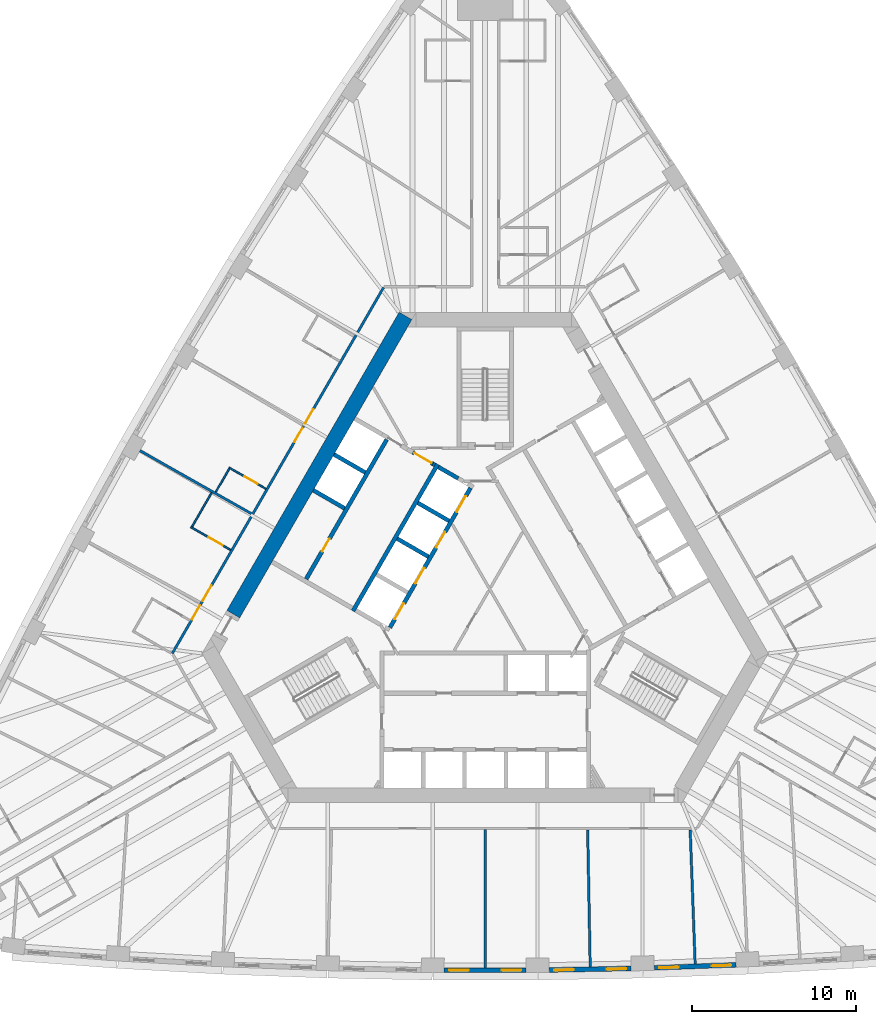
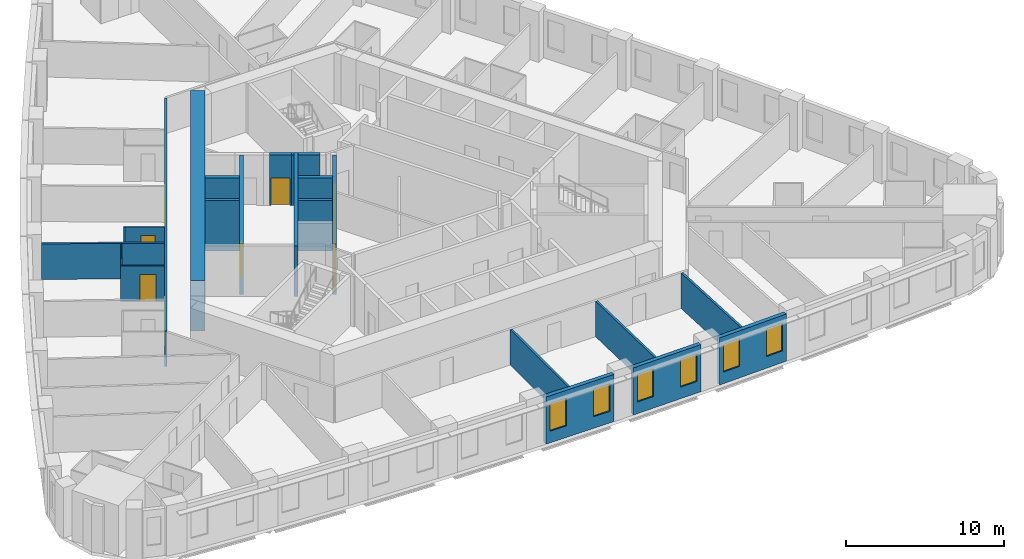
# One storey, part 5 of 12: 23 walls, 12 doors, 6 windows, 18 openings.
"""IFC4 building model written with IfcOpenShell, lengths in metres."""

from ifc_helpers import new_model, si_unit, direction, frame, frame_2d, origin, place, context, subcontext, project, spatial, polyline, rectangle, outline, extrude, material, layer, layer_set, type_object, element, fill, save


model = new_model("IFC4")

# Units and contexts
model_context = context("Model", 3, precision=1e-05, world=origin(), true_north=direction((0.0, 1.0)))
body_context = subcontext(model_context, "Body", "Model", "MODEL_VIEW")
ifc_project = project(units=[si_unit("LENGTHUNIT", "METRE"), si_unit("AREAUNIT", "SQUARE_METRE"), si_unit("VOLUMEUNIT", "CUBIC_METRE"), si_unit("PLANEANGLEUNIT", "RADIAN"), si_unit("MASSUNIT", "GRAM", prefix="KILO")], contexts=[model_context])

# Site, building, storey
site_placement = place(None, origin())
site = spatial("IfcSite", under=ifc_project, at=site_placement, CompositionType="ELEMENT")
building_placement = place(site_placement, origin())
building = spatial("IfcBuilding", under=site, at=building_placement, Name="Mestral Congress Tower", CompositionType="ELEMENT")
storey_placement = place(building_placement, frame((0.0, 0.0, 47.10009765625)))
storey = spatial("IfcBuildingStorey", under=building, at=storey_placement, Name="L10", CompositionType="ELEMENT", Elevation=47.10009765625)

# Wall
ifc_material_1 = material(Name="Concrete C60/75", Category="concrete")
ifc_layer_1 = layer(ifc_material_1, 0.89990234375)
ifc_layer_set_1 = layer_set([ifc_layer_1], Name="Concrete C60/75")
wall_type_1 = type_object("IfcWallType", Name="Core wall RC 900", PredefinedType="SOLIDWALL", material=ifc_layer_set_1)
wall_1_placement = place(storey_placement, frame((-15.359619140625, -1.50341796875, 0.0), z_axis=(0.0, 0.0, 1.0), x_axis=(0.50000389221, 0.866023156604, 0.0)))
element("IfcWall", 1, at=wall_1_placement, inside=storey, type_object=wall_type_1, Name="L10 core wall", PredefinedType="SOLIDWALL", context=body_context, shape_type="SweptSolid", body=[
    extrude(rectangle(XDim=21.000244140625, YDim=0.89990234375, at=frame_2d((10.5, 0.0))), origin(), (0.0, 0.0, 1.0), 3.89990234375),
])

# Wall, openings, windows
ifc_material_2 = material(Name="Precast concrete C40/50 with limestone facing", Category="masonry")
ifc_layer_2 = layer(ifc_material_2, 0.2900390625)
ifc_layer_set_2 = layer_set([ifc_layer_2], Name="Precast concrete C40/50 with limestone facing")
wall_type_2 = type_object("IfcWallType", Name="Facade stone wall 290", PredefinedType="SOLIDWALL", material=ifc_layer_set_2)
wall_2_placement = place(storey_placement, frame((-2.4990234375, -23.21826171875, 0.0), z_axis=(0.0, 0.0, 1.0), x_axis=(1.0, 0.0, 0.0)))
wall_2 = element("IfcWall", 2, at=wall_2_placement, inside=storey, type_object=wall_type_2, Name="Facade wall F0-04", PredefinedType="SOLIDWALL", context=body_context, shape_type="SweptSolid", body=[
    extrude(rectangle(XDim=4.998046875, YDim=0.2900390625, at=frame_2d((2.4990234375, 0.0))), origin(), (0.0, 0.0, 1.0), 3.64990234375),
])
opening_1_placement = place(wall_2_placement, frame((0.297119140625, 0.0, 0.89990234375)))
opening_1 = element("IfcOpeningElement", 3, at=opening_1_placement, cuts=wall_2, Name="Opening W1", PredefinedType="OPENING", context=body_context, shape_type="SweptSolid", body=[
    extrude(rectangle(XDim=1.199951171875, YDim=2.14990234375, at=frame_2d((0.60009765625, 1.074951171875))), frame((0.0, 0.155029296875, 0.0), z_axis=(0.0, -1.0, 0.0), x_axis=(1.0, 0.0, 0.0)), (0.0, 0.0, 1.0), 0.31005859375),
])
opening_2_placement = place(wall_2_placement, frame((3.501220703125, 0.0, 0.89990234375)))
opening_2 = element("IfcOpeningElement", 4, at=opening_2_placement, cuts=wall_2, Name="Opening W1", PredefinedType="OPENING", context=body_context, shape_type="SweptSolid", body=[
    extrude(rectangle(XDim=1.199951171875, YDim=2.14990234375, at=frame_2d((0.60009765625, 1.074951171875))), frame((0.0, 0.155029296875, 0.0), z_axis=(0.0, -1.0, 0.0), x_axis=(1.0, 0.0, 0.0)), (0.0, 0.0, 1.0), 0.31005859375),
])
ifc_material_3 = material(Name="Clear low-emissivity double glazing", Category="glass")
window_type = type_object("IfcWindowType", Name="Facade punched window 1200 x 2150 sill 900", PartitioningType="DOUBLE_PANEL_VERTICAL", PredefinedType="WINDOW", material=ifc_material_3)
window_1_placement = place(opening_1_placement, origin())
window_1 = element("IfcWindow", 5, at=window_1_placement, inside=storey, type_object=window_type, Name="Window F0-04a", OverallHeight=2.14990234375, OverallWidth=1.199951171875, PartitioningType="DOUBLE_PANEL_VERTICAL", PredefinedType="WINDOW", context=body_context, shape_type="SweptSolid", body=[
    extrude(rectangle(XDim=1.199951171875, YDim=2.14990234375, at=frame_2d((0.60009765625, 1.074951171875))), frame((0.0, 0.01513671875, 0.0), z_axis=(0.0, -1.0, 0.0), x_axis=(1.0, 0.0, 0.0)), (0.0, 0.0, 1.0), 0.06005859375),
])
fill(opening_1, window_1)
window_2_placement = place(opening_2_placement, origin())
window_2 = element("IfcWindow", 6, at=window_2_placement, inside=storey, type_object=window_type, Name="Window F0-04b", OverallHeight=2.14990234375, OverallWidth=1.199951171875, PartitioningType="DOUBLE_PANEL_VERTICAL", PredefinedType="WINDOW", context=body_context, shape_type="SweptSolid", body=[
    extrude(rectangle(XDim=1.199951171875, YDim=2.14990234375, at=frame_2d((0.60009765625, 1.074951171875))), frame((0.0, 0.01513671875, 0.0), z_axis=(0.0, -1.0, 0.0), x_axis=(1.0, 0.0, 0.0)), (0.0, 0.0, 1.0), 0.06005859375),
])
fill(opening_2, window_2)

wall_3_placement = place(storey_placement, frame((3.90625, -23.205078125, 0.0), z_axis=(0.0, 0.0, 1.0), x_axis=(0.999829529479, 0.018463801951, 0.0)))
wall_3 = element("IfcWall", 7, at=wall_3_placement, inside=storey, type_object=wall_type_2, Name="Facade wall F0-05", PredefinedType="SOLIDWALL", context=body_context, shape_type="SweptSolid", body=[
    extrude(rectangle(XDim=4.998046875, YDim=0.2900390625, at=frame_2d((2.4990234375, 0.0))), origin(), (0.0, 0.0, 1.0), 3.64990234375),
])
opening_3_placement = place(wall_3_placement, frame((0.297119140625, 0.0, 0.89990234375)))
opening_3 = element("IfcOpeningElement", 8, at=opening_3_placement, cuts=wall_3, Name="Opening W1", PredefinedType="OPENING", context=body_context, shape_type="SweptSolid", body=[
    extrude(rectangle(XDim=1.199951171875, YDim=2.14990234375, at=frame_2d((0.60009765625, 1.074951171875))), frame((0.0, 0.155029296875, 0.0), z_axis=(0.0, -1.0, 0.0), x_axis=(1.0, 0.0, 0.0)), (0.0, 0.0, 1.0), 0.31005859375),
])
opening_4_placement = place(wall_3_placement, frame((3.501220703125, 0.0, 0.89990234375)))
opening_4 = element("IfcOpeningElement", 9, at=opening_4_placement, cuts=wall_3, Name="Opening W1", PredefinedType="OPENING", context=body_context, shape_type="SweptSolid", body=[
    extrude(rectangle(XDim=1.199951171875, YDim=2.14990234375, at=frame_2d((0.60009765625, 1.074951171875))), frame((0.0, 0.155029296875, 0.0), z_axis=(0.0, -1.0, 0.0), x_axis=(1.0, 0.0, 0.0)), (0.0, 0.0, 1.0), 0.31005859375),
])
window_3_placement = place(opening_3_placement, origin())
window_3 = element("IfcWindow", 10, at=window_3_placement, inside=storey, type_object=window_type, Name="Window F0-05a", OverallHeight=2.14990234375, OverallWidth=1.199951171875, PartitioningType="DOUBLE_PANEL_VERTICAL", PredefinedType="WINDOW", context=body_context, shape_type="SweptSolid", body=[
    extrude(rectangle(XDim=1.199951171875, YDim=2.14990234375, at=frame_2d((0.60009765625, 1.074951171875))), frame((0.0, 0.01513671875, 0.0), z_axis=(0.0, -1.0, 0.0), x_axis=(1.0, 0.0, 0.0)), (0.0, 0.0, 1.0), 0.06005859375),
])
fill(opening_3, window_3)
window_4_placement = place(opening_4_placement, origin())
window_4 = element("IfcWindow", 11, at=window_4_placement, inside=storey, type_object=window_type, Name="Window F0-05b", OverallHeight=2.14990234375, OverallWidth=1.199951171875, PartitioningType="DOUBLE_PANEL_VERTICAL", PredefinedType="WINDOW", context=body_context, shape_type="SweptSolid", body=[
    extrude(rectangle(XDim=1.199951171875, YDim=2.14990234375, at=frame_2d((0.60009765625, 1.074951171875))), frame((0.0, 0.01513671875, 0.0), z_axis=(0.0, -1.0, 0.0), x_axis=(1.0, 0.0, 0.0)), (0.0, 0.0, 1.0), 0.06005859375),
])
fill(opening_4, window_4)

wall_4_placement = place(storey_placement, frame((10.310302734375, -23.07373046875, 0.0), z_axis=(0.0, 0.0, 1.0), x_axis=(0.999317974969, 0.036926750529, 0.0)))
wall_4 = element("IfcWall", 12, at=wall_4_placement, inside=storey, type_object=wall_type_2, Name="Facade wall F0-06", PredefinedType="SOLIDWALL", context=body_context, shape_type="SweptSolid", body=[
    extrude(rectangle(XDim=4.998291015625, YDim=0.2900390625, at=frame_2d((2.4990234375, 0.0))), origin(), (0.0, 0.0, 1.0), 3.64990234375),
])
opening_5_placement = place(wall_4_placement, frame((0.297119140625, 0.0, 0.89990234375)))
opening_5 = element("IfcOpeningElement", 13, at=opening_5_placement, cuts=wall_4, Name="Opening W1", PredefinedType="OPENING", context=body_context, shape_type="SweptSolid", body=[
    extrude(rectangle(XDim=1.199951171875, YDim=2.14990234375, at=frame_2d((0.60009765625, 1.074951171875))), frame((0.0, 0.155029296875, 0.0), z_axis=(0.0, -1.0, 0.0), x_axis=(1.0, 0.0, 0.0)), (0.0, 0.0, 1.0), 0.31005859375),
])
opening_6_placement = place(wall_4_placement, frame((3.501220703125, 0.0, 0.89990234375)))
opening_6 = element("IfcOpeningElement", 14, at=opening_6_placement, cuts=wall_4, Name="Opening W1", PredefinedType="OPENING", context=body_context, shape_type="SweptSolid", body=[
    extrude(rectangle(XDim=1.199951171875, YDim=2.14990234375, at=frame_2d((0.60009765625, 1.074951171875))), frame((0.0, 0.155029296875, 0.0), z_axis=(0.0, -1.0, 0.0), x_axis=(1.0, 0.0, 0.0)), (0.0, 0.0, 1.0), 0.31005859375),
])
window_5_placement = place(opening_5_placement, origin())
window_5 = element("IfcWindow", 15, at=window_5_placement, inside=storey, type_object=window_type, Name="Window F0-06a", OverallHeight=2.14990234375, OverallWidth=1.199951171875, PartitioningType="DOUBLE_PANEL_VERTICAL", PredefinedType="WINDOW", context=body_context, shape_type="SweptSolid", body=[
    extrude(rectangle(XDim=1.199951171875, YDim=2.14990234375, at=frame_2d((0.60009765625, 1.074951171875))), frame((0.0, 0.01513671875, 0.0), z_axis=(0.0, -1.0, 0.0), x_axis=(1.0, 0.0, 0.0)), (0.0, 0.0, 1.0), 0.06005859375),
])
fill(opening_5, window_5)
window_6_placement = place(opening_6_placement, origin())
window_6 = element("IfcWindow", 16, at=window_6_placement, inside=storey, type_object=window_type, Name="Window F0-06b", OverallHeight=2.14990234375, OverallWidth=1.199951171875, PartitioningType="DOUBLE_PANEL_VERTICAL", PredefinedType="WINDOW", context=body_context, shape_type="SweptSolid", body=[
    extrude(rectangle(XDim=1.199951171875, YDim=2.14990234375, at=frame_2d((0.60009765625, 1.074951171875))), frame((0.0, 0.01513671875, 0.0), z_axis=(0.0, -1.0, 0.0), x_axis=(1.0, 0.0, 0.0)), (0.0, 0.0, 1.0), 0.06005859375),
])
fill(opening_6, window_6)

# Wall, opening, door
ifc_material_4 = material(Name="Gypsum board partition on metal studs with mineral wool", Category="composite")
ifc_layer_3 = layer(ifc_material_4, 0.10009765625)
ifc_layer_set_3 = layer_set([ifc_layer_3], Name="Gypsum board partition on metal studs with mineral wool")
wall_type_3 = type_object("IfcWallType", Name="Hotel partition wall 100", PredefinedType="PARTITIONING", material=ifc_layer_set_3)
wall_5_placement = place(storey_placement, frame((-13.37255859375, 6.13818359375, 0.0), z_axis=(0.0, 0.0, 1.0), x_axis=(-0.866062058628, 0.499936506574, 0.0)))
wall_5 = element("IfcWall", 17, at=wall_5_placement, inside=storey, type_object=wall_type_3, Name="L10-h-pod22a", PredefinedType="PARTITIONING", context=body_context, shape_type="SweptSolid", body=[
    extrude(rectangle(XDim=2.599853515625, YDim=0.10009765625, at=frame_2d((1.2998046875, 0.0))), origin(), (0.0, 0.0, 1.0), 2.75),
])
opening_7_placement = place(wall_5_placement, frame((0.60009765625, 0.0, 0.0)))
opening_7 = element("IfcOpeningElement", 18, at=opening_7_placement, cuts=wall_5, Name="Opening H02-036", PredefinedType="OPENING", context=body_context, shape_type="SweptSolid", body=[
    extrude(rectangle(XDim=0.89990234375, YDim=2.10009765625, at=frame_2d((0.449951171875, 1.050048828125))), frame((0.0, 0.06005859375, 0.0), z_axis=(0.0, -1.0, 0.0), x_axis=(1.0, 0.0, 0.0)), (0.0, 0.0, 1.0), 0.1201171875),
])
ifc_material_5 = material(Name="Timber veneer door leaf in timber frame", Category="wood")
door_type_1 = type_object("IfcDoorType", Name="Bathroom door 900", OperationType="SINGLE_SWING_LEFT", PredefinedType="DOOR", material=ifc_material_5)
door_1_placement = place(opening_7_placement, origin())
door_1 = element("IfcDoor", 19, at=door_1_placement, inside=storey, type_object=door_type_1, Name="L10-h-d036", OperationType="SINGLE_SWING_LEFT", OverallHeight=2.10009765625, OverallWidth=0.89990234375, PredefinedType="DOOR", context=body_context, shape_type="SweptSolid", body=[
    extrude(rectangle(XDim=0.89990234375, YDim=2.10009765625, at=frame_2d((0.449951171875, 1.050048828125))), frame((0.0, 0.02490234375, 0.0), z_axis=(0.0, -1.0, 0.0), x_axis=(1.0, 0.0, 0.0)), (0.0, 0.0, 1.0), 0.050048828125),
])
fill(opening_7, door_1)

# Wall
wall_6_placement = place(storey_placement, frame((-15.60595703125, 7.369873046875, 0.0), z_axis=(0.0, 0.0, 1.0), x_axis=(-0.499974350878, -0.866040211805, 0.0)))
element("IfcWall", 20, at=wall_6_placement, inside=storey, type_object=wall_type_3, Name="L10-h-pod22b", PredefinedType="PARTITIONING", context=body_context, shape_type="SweptSolid", body=[
    extrude(rectangle(XDim=1.64990234375, YDim=0.10009765625, at=frame_2d((0.824951171875, 0.0))), origin(), (0.0, 0.0, 1.0), 2.75),
])

# Wall, opening, door
wall_7_placement = place(storey_placement, frame((-17.950927734375, 3.80810546875, 0.0), z_axis=(0.0, 0.0, 1.0), x_axis=(0.866034573852, -0.49998411664, 0.0)))
wall_7 = element("IfcWall", 21, at=wall_7_placement, inside=storey, type_object=wall_type_3, Name="L10-h-pod23a", PredefinedType="PARTITIONING", context=body_context, shape_type="SweptSolid", body=[
    extrude(rectangle(XDim=2.7998046875, YDim=0.10009765625, at=frame_2d((1.39990234375, 0.0))), origin(), (0.0, 0.0, 1.0), 2.75),
])
opening_8_placement = place(wall_7_placement, frame((1.25, 0.0, 0.0)))
opening_8 = element("IfcOpeningElement", 22, at=opening_8_placement, cuts=wall_7, Name="Opening H02-038", PredefinedType="OPENING", context=body_context, shape_type="SweptSolid", body=[
    extrude(rectangle(XDim=1.0, YDim=2.10009765625, at=frame_2d((0.5, 1.050048828125))), frame((0.0, 0.06005859375, 0.0), z_axis=(0.0, -1.0, 0.0), x_axis=(1.0, 0.0, 0.0)), (0.0, 0.0, 1.0), 0.1201171875),
])
door_type_2 = type_object("IfcDoorType", Name="Accessible bathroom door 1000", OperationType="SINGLE_SWING_LEFT", PredefinedType="DOOR", material=ifc_material_5)
door_2_placement = place(opening_8_placement, origin())
door_2 = element("IfcDoor", 23, at=door_2_placement, inside=storey, type_object=door_type_2, Name="L10-h-d038", OperationType="SINGLE_SWING_LEFT", OverallHeight=2.10009765625, OverallWidth=1.0, PredefinedType="DOOR", context=body_context, shape_type="SweptSolid", body=[
    extrude(rectangle(XDim=1.0, YDim=2.10009765625, at=frame_2d((0.5, 1.050048828125))), frame((0.0, 0.02490234375, 0.0), z_axis=(0.0, -1.0, 0.0), x_axis=(1.0, 0.0, 0.0)), (0.0, 0.0, 1.0), 0.050048828125),
])
fill(opening_8, door_2)

# Wall
wall_8_placement = place(storey_placement, frame((-17.877685546875, 3.835205078125, 0.0), z_axis=(0.0, 0.0, 1.0), x_axis=(0.500061428766, 0.865989934965, 0.0)))
element("IfcWall", 24, at=wall_8_placement, inside=storey, type_object=wall_type_3, Name="L10-h-pod23b", PredefinedType="PARTITIONING", context=body_context, shape_type="SweptSolid", body=[
    extrude(rectangle(XDim=2.389892578125, YDim=0.10009765625, at=frame_2d((1.19482421875, 0.0))), origin(), (0.0, 0.0, 1.0), 2.75),
])

# Wall, openings, doors
ifc_layer_4 = layer(ifc_material_4, 0.14990234375)
ifc_layer_set_4 = layer_set([ifc_layer_4], Name="Gypsum board partition on metal studs with mineral wool")
wall_type_4 = type_object("IfcWallType", Name="Hotel partition wall 150", PredefinedType="PARTITIONING", material=ifc_layer_set_4)
wall_9_placement = place(storey_placement, frame((-19.081298828125, -3.89990234375, 0.0), z_axis=(0.0, 0.0, 1.0), x_axis=(0.499998313975, 0.866026377209, 0.0)))
wall_9 = element("IfcWall", 25, at=wall_9_placement, inside=storey, type_object=wall_type_4, Name="L10-h-cw08", PredefinedType="PARTITIONING", context=body_context, shape_type="SweptSolid", body=[
    extrude(rectangle(XDim=25.76611328125, YDim=0.14990234375, at=frame_2d((12.883056640625, 0.0))), origin(), (0.0, 0.0, 1.0), 2.75),
])
opening_9_placement = place(wall_9_placement, frame((16.19580078125, 0.0, 0.0)))
opening_9 = element("IfcOpeningElement", 26, at=opening_9_placement, cuts=wall_9, Name="Opening H02-033", PredefinedType="OPENING", context=body_context, shape_type="SweptSolid", body=[
    extrude(rectangle(XDim=1.0, YDim=2.10009765625, at=frame_2d((0.5, 1.050048828125))), frame((0.0, 0.0849609375, 0.0), z_axis=(0.0, -1.0, 0.0), x_axis=(1.0, 0.0, 0.0)), (0.0, 0.0, 1.0), 0.169921875),
])
opening_10_placement = place(wall_9_placement, frame((14.888671875, 0.0, 0.0)))
opening_10 = element("IfcOpeningElement", 27, at=opening_10_placement, cuts=wall_9, Name="Opening H02-035", PredefinedType="OPENING", context=body_context, shape_type="SweptSolid", body=[
    extrude(rectangle(XDim=1.0, YDim=2.10009765625, at=frame_2d((0.5, 1.050048828125))), frame((0.0, 0.0849609375, 0.0), z_axis=(0.0, -1.0, 0.0), x_axis=(1.0, 0.0, 0.0)), (0.0, 0.0, 1.0), 0.169921875),
])
opening_11_placement = place(wall_9_placement, frame((3.6982421875, 0.0, 0.0)))
opening_11 = element("IfcOpeningElement", 28, at=opening_11_placement, cuts=wall_9, Name="Opening H02-037", PredefinedType="OPENING", context=body_context, shape_type="SweptSolid", body=[
    extrude(rectangle(XDim=1.10009765625, YDim=2.10009765625, at=frame_2d((0.550048828125, 1.050048828125))), frame((0.0, 0.0849609375, 0.0), z_axis=(0.0, -1.0, 0.0), x_axis=(1.0, 0.0, 0.0)), (0.0, 0.0, 1.0), 0.169921875),
])
opening_12_placement = place(wall_9_placement, frame((2.3916015625, 0.0, 0.0)))
opening_12 = element("IfcOpeningElement", 29, at=opening_12_placement, cuts=wall_9, Name="Opening H02-039", PredefinedType="OPENING", context=body_context, shape_type="SweptSolid", body=[
    extrude(rectangle(XDim=1.0, YDim=2.10009765625, at=frame_2d((0.5, 1.050048828125))), frame((0.0, 0.0849609375, 0.0), z_axis=(0.0, -1.0, 0.0), x_axis=(1.0, 0.0, 0.0)), (0.0, 0.0, 1.0), 0.169921875),
])
ifc_material_6 = material(Name="Timber veneer door leaf in metal frame", Category="wood")
door_type_3 = type_object("IfcDoorType", Name="Accessible room entrance door 1100", OperationType="SINGLE_SWING_LEFT", PredefinedType="DOOR", material=ifc_material_6)
door_3_placement = place(opening_11_placement, origin())
door_3 = element("IfcDoor", 30, at=door_3_placement, inside=storey, type_object=door_type_3, Name="L10-h-d037", OperationType="SINGLE_SWING_LEFT", OverallHeight=2.10009765625, OverallWidth=1.10009765625, PredefinedType="DOOR", context=body_context, shape_type="SweptSolid", body=[
    extrude(rectangle(XDim=1.10009765625, YDim=2.10009765625, at=frame_2d((0.550048828125, 1.050048828125))), frame((0.0, 0.02490234375, 0.0), z_axis=(0.0, -1.0, 0.0), x_axis=(1.0, 0.0, 0.0)), (0.0, 0.0, 1.0), 0.050048828125),
])
fill(opening_11, door_3)
door_type_4 = type_object("IfcDoorType", Name="Guest room entrance door 1000", OperationType="SINGLE_SWING_LEFT", PredefinedType="DOOR", material=ifc_material_6)
door_4_placement = place(opening_9_placement, origin())
door_4 = element("IfcDoor", 31, at=door_4_placement, inside=storey, type_object=door_type_4, Name="L10-h-d033", OperationType="SINGLE_SWING_LEFT", OverallHeight=2.10009765625, OverallWidth=1.0, PredefinedType="DOOR", context=body_context, shape_type="SweptSolid", body=[
    extrude(rectangle(XDim=1.0, YDim=2.10009765625, at=frame_2d((0.5, 1.050048828125))), frame((0.0, 0.02490234375, 0.0), z_axis=(0.0, -1.0, 0.0), x_axis=(1.0, 0.0, 0.0)), (0.0, 0.0, 1.0), 0.050048828125),
])
fill(opening_9, door_4)
door_5_placement = place(opening_10_placement, origin())
door_5 = element("IfcDoor", 32, at=door_5_placement, inside=storey, type_object=door_type_4, Name="L10-h-d035", OperationType="SINGLE_SWING_RIGHT", OverallHeight=2.10009765625, OverallWidth=1.0, PredefinedType="DOOR", context=body_context, shape_type="SweptSolid", body=[
    extrude(rectangle(XDim=1.0, YDim=2.10009765625, at=frame_2d((0.5, 1.050048828125))), frame((0.0, 0.02490234375, 0.0), z_axis=(0.0, -1.0, 0.0), x_axis=(1.0, 0.0, 0.0)), (0.0, 0.0, 1.0), 0.050048828125),
])
fill(opening_10, door_5)
door_6_placement = place(opening_12_placement, origin())
door_6 = element("IfcDoor", 33, at=door_6_placement, inside=storey, type_object=door_type_4, Name="L10-h-d039", OperationType="SINGLE_SWING_RIGHT", OverallHeight=2.10009765625, OverallWidth=1.0, PredefinedType="DOOR", context=body_context, shape_type="SweptSolid", body=[
    extrude(rectangle(XDim=1.0, YDim=2.10009765625, at=frame_2d((0.5, 1.050048828125))), frame((0.0, 0.02490234375, 0.0), z_axis=(0.0, -1.0, 0.0), x_axis=(1.0, 0.0, 0.0)), (0.0, 0.0, 1.0), 0.050048828125),
])
fill(opening_12, door_6)

# Walls
wall_10_placement = place(storey_placement, frame((-21.051513671875, 8.464111328125, 0.0), z_axis=(0.0, 0.0, 1.0), x_axis=(0.87059371954, -0.492002617368, 0.0)))
element("IfcWall", 34, at=wall_10_placement, inside=storey, type_object=wall_type_4, Name="L10-h-pw08", PredefinedType="PARTITIONING", context=body_context, shape_type="SweptSolid", body=[
    extrude(rectangle(XDim=7.803466796875, YDim=0.14990234375, at=frame_2d((3.90185546875, 0.0))), origin(), (0.0, 0.0, 1.0), 2.75),
])
wall_11_placement = place(storey_placement, frame((0.0, -23.0732421875, 0.0), z_axis=(0.0, 0.0, 1.0), x_axis=(0.0, 1.0, 0.0)))
element("IfcWall", 35, at=wall_11_placement, inside=storey, type_object=wall_type_4, Name="L10-h-pw14", PredefinedType="PARTITIONING", context=body_context, shape_type="SweptSolid", body=[
    extrude(rectangle(XDim=8.42333984375, YDim=0.14990234375, at=frame_2d((4.211669921875, 0.0))), origin(), (0.0, 0.0, 1.0), 2.75),
])
wall_12_placement = place(storey_placement, frame((6.40234375, -23.013916015625, 0.0), z_axis=(0.0, 0.0, 1.0), x_axis=(-0.01849587109, 0.999828936745, 0.0)))
element("IfcWall", 36, at=wall_12_placement, inside=storey, type_object=wall_type_4, Name="L10-h-pw17", PredefinedType="PARTITIONING", context=body_context, shape_type="SweptSolid", body=[
    extrude(rectangle(XDim=8.35546875, YDim=0.14990234375, at=frame_2d((4.177734375, 0.0))), origin(), (0.0, 0.0, 1.0), 2.75),
])
wall_13_placement = place(storey_placement, frame((12.802490234375, -22.83642578125, 0.0), z_axis=(0.0, 0.0, 1.0), x_axis=(-0.036969723281, 0.999316386116, 0.0)))
element("IfcWall", 37, at=wall_13_placement, inside=storey, type_object=wall_type_4, Name="L10-h-pw20", PredefinedType="PARTITIONING", context=body_context, shape_type="SweptSolid", body=[
    extrude(rectangle(XDim=8.18212890625, YDim=0.14990234375, at=frame_2d((4.091064453125, 0.0))), origin(), (0.0, 0.0, 1.0), 2.75),
])
ifc_layer_5 = layer(ifc_material_1, 0.25)
ifc_layer_set_5 = layer_set([ifc_layer_5], Name="Concrete C60/75")
wall_type_5 = type_object("IfcWallType", Name="Shaft wall RC 250", PredefinedType="SOLIDWALL", material=ifc_layer_set_5)
wall_14_placement = place(storey_placement, frame((-8.06005859375, -1.310546875, 0.0), z_axis=(0.0, 0.0, 1.0), x_axis=(0.50000273126, 0.866023826885, 0.0)))
element("IfcWall", 38, at=wall_14_placement, inside=storey, type_object=wall_type_5, Name="L10 core wall", PredefinedType="SOLIDWALL", context=body_context, shape_type="SweptSolid", body=[
    extrude(rectangle(XDim=10.330078125, YDim=0.25, at=frame_2d((5.1650390625, 0.0))), origin(), (0.0, 0.0, 1.0), 3.89990234375),
])
wall_15_placement = place(storey_placement, frame((-1.6474609375, 6.770751953125, 0.0), z_axis=(0.0, 0.0, 1.0), x_axis=(-0.865971728693, 0.500092956464, 0.0)))
element("IfcWall", 39, at=wall_15_placement, inside=storey, type_object=wall_type_5, Name="L10 core wall", PredefinedType="SOLIDWALL", context=body_context, shape_type="SweptSolid", body=[
    extrude(rectangle(XDim=1.387939453125, YDim=0.25, at=frame_2d((0.69384765625, 0.0))), origin(), (0.0, 0.0, 1.0), 3.89990234375),
])
for number, where, z_axis, x_axis, name in (
    (40, (-2.2041015625, 4.182373046875, 0.0), (0.0, 0.0, 1.0), (-0.866008176907, 0.50002983664, 0.0), "L10 core wall"),
    (41, (-5.369384765625, 3.10009765625, 0.0), (0.0, 0.0, 1.0), (0.866008176907, -0.50002983664, 0.0), "L10 core wall"),
):
    element("IfcWall", number, at=place(storey_placement, frame(where, z_axis=z_axis, x_axis=x_axis)), inside=storey, type_object=wall_type_5, Name=name, PredefinedType="SOLIDWALL", context=body_context, shape_type="SweptSolid", body=[
        extrude(rectangle(XDim=2.199951171875, YDim=0.25, at=frame_2d((1.10009765625, 0.0))), origin(), (0.0, 0.0, 1.0), 3.89990234375),
    ])
wall_16_placement = place(storey_placement, origin())
element("IfcWall", 42, at=wall_16_placement, inside=storey, type_object=wall_type_5, Name="L10 core wall", PredefinedType="SOLIDWALL", context=body_context, shape_type="SweptSolid", body=[
    extrude(outline(polyline([(-3.12841796875, 7.4814453125), (-3.2587890625, 7.556640625), (-3.1337890625, 7.773193359375), (-3.00341796875, 7.697998046875), (-3.12841796875, 7.4814453125)])), origin(), (0.0, 0.0, 1.0), 3.89990234375),
])
for number, where, z_axis, x_axis, name in (
    (43, (-8.57373046875, 4.949951171875, 0.0), (0.0, 0.0, 1.0), (-0.866008176907, 0.50002983664, 0.0), "L10 core wall"),
    (44, (-7.313720703125, 7.13232421875, 0.0), (0.0, 0.0, 1.0), (-0.866008176907, 0.50002983664, 0.0), "L10 core wall"),
):
    element("IfcWall", number, at=place(storey_placement, frame(where, z_axis=z_axis, x_axis=x_axis)), inside=storey, type_object=wall_type_5, Name=name, PredefinedType="SOLIDWALL", context=body_context, shape_type="SweptSolid", body=[
        extrude(rectangle(XDim=2.199951171875, YDim=0.25, at=frame_2d((1.10009765625, 0.0))), origin(), (0.0, 0.0, 1.0), 3.89990234375),
    ])

# Wall, opening, door
wall_17_placement = place(storey_placement, frame((-6.0078125, 9.14404296875, 0.0), z_axis=(0.0, 0.0, 1.0), x_axis=(-0.500006956611, -0.866021387346, 0.0)))
wall_17 = element("IfcWall", 45, at=wall_17_placement, inside=storey, type_object=wall_type_5, Name="L10 door wall", PredefinedType="SOLIDWALL", context=body_context, shape_type="SweptSolid", body=[
    extrude(rectangle(XDim=9.829833984375, YDim=0.25, at=frame_2d((4.9150390625, 0.0))), origin(), (0.0, 0.0, 1.0), 3.89990234375),
])
opening_13_placement = place(wall_17_placement, frame((6.985107421875, 0.0, 0.0)))
opening_13 = element("IfcOpeningElement", 46, at=opening_13_placement, cuts=wall_17, Name="Opening SR-NWA2", PredefinedType="OPENING", context=body_context, shape_type="SweptSolid", body=[
    extrude(rectangle(XDim=0.89990234375, YDim=2.10009765625, at=frame_2d((0.449951171875, 1.050048828125))), frame((0.0, 0.135009765625, 0.0), z_axis=(0.0, -1.0, 0.0), x_axis=(1.0, 0.0, 0.0)), (0.0, 0.0, 1.0), 0.27001953125),
])
ifc_material_7 = material(Name="Fire-rated steel door set", Category="steel")
door_type_5 = type_object("IfcDoorType", Name="Core door SR 900x2100", OperationType="SINGLE_SWING_LEFT", PredefinedType="DOOR", material=ifc_material_7)
door_7_placement = place(opening_13_placement, origin())
door_7 = element("IfcDoor", 47, at=door_7_placement, inside=storey, type_object=door_type_5, Name="Door SR-NWA2", OperationType="SINGLE_SWING_LEFT", OverallHeight=2.10009765625, OverallWidth=0.89990234375, PredefinedType="DOOR", context=body_context, shape_type="SweptSolid", body=[
    extrude(rectangle(XDim=0.89990234375, YDim=2.10009765625, at=frame_2d((0.449951171875, 1.050048828125))), frame((0.0, 0.02490234375, 0.0), z_axis=(0.0, -1.0, 0.0), x_axis=(1.0, 0.0, 0.0)), (0.0, 0.0, 1.0), 0.050048828125),
])
fill(opening_13, door_7)

# Wall, openings, doors
wall_18_placement = place(storey_placement, frame((-0.898193359375, 6.194091796875, 0.0), z_axis=(0.0, 0.0, 1.0), x_axis=(-0.499996202215, -0.866027596426, 0.0)))
wall_18 = element("IfcWall", 48, at=wall_18_placement, inside=storey, type_object=wall_type_5, Name="L10 door wall", PredefinedType="SOLIDWALL", context=body_context, shape_type="SweptSolid", body=[
    extrude(rectangle(XDim=9.830078125, YDim=0.25, at=frame_2d((4.9150390625, 0.0))), origin(), (0.0, 0.0, 1.0), 3.89990234375),
])
opening_14_placement = place(wall_18_placement, frame((0.5849609375, 0.0, 0.0)))
opening_14 = element("IfcOpeningElement", 49, at=opening_14_placement, cuts=wall_18, Name="Opening LD-NWB1", PredefinedType="OPENING", context=body_context, shape_type="SweptSolid", body=[
    extrude(rectangle(XDim=1.10009765625, YDim=2.10009765625, at=frame_2d((0.550048828125, 1.050048828125))), frame((0.0, 0.135009765625, 0.0), z_axis=(0.0, -1.0, 0.0), x_axis=(1.0, 0.0, 0.0)), (0.0, 0.0, 1.0), 0.27001953125),
])
opening_15_placement = place(wall_18_placement, frame((3.10498046875, 0.0, 0.0)))
opening_15 = element("IfcOpeningElement", 50, at=opening_15_placement, cuts=wall_18, Name="Opening LD-NWB2", PredefinedType="OPENING", context=body_context, shape_type="SweptSolid", body=[
    extrude(rectangle(XDim=1.10009765625, YDim=2.10009765625, at=frame_2d((0.550048828125, 1.050048828125))), frame((0.0, 0.135009765625, 0.0), z_axis=(0.0, -1.0, 0.0), x_axis=(1.0, 0.0, 0.0)), (0.0, 0.0, 1.0), 0.27001953125),
])
opening_16_placement = place(wall_18_placement, frame((5.625, 0.0, 0.0)))
opening_16 = element("IfcOpeningElement", 51, at=opening_16_placement, cuts=wall_18, Name="Opening LD-NWB3", PredefinedType="OPENING", context=body_context, shape_type="SweptSolid", body=[
    extrude(rectangle(XDim=1.10009765625, YDim=2.10009765625, at=frame_2d((0.550048828125, 1.050048828125))), frame((0.0, 0.135009765625, 0.0), z_axis=(0.0, -1.0, 0.0), x_axis=(1.0, 0.0, 0.0)), (0.0, 0.0, 1.0), 0.27001953125),
])
opening_17_placement = place(wall_18_placement, frame((8.14501953125, 0.0, 0.0)))
opening_17 = element("IfcOpeningElement", 52, at=opening_17_placement, cuts=wall_18, Name="Opening LD-NWB4", PredefinedType="OPENING", context=body_context, shape_type="SweptSolid", body=[
    extrude(rectangle(XDim=1.10009765625, YDim=2.10009765625, at=frame_2d((0.550048828125, 1.050048828125))), frame((0.0, 0.135009765625, 0.0), z_axis=(0.0, -1.0, 0.0), x_axis=(1.0, 0.0, 0.0)), (0.0, 0.0, 1.0), 0.27001953125),
])
door_type_6 = type_object("IfcDoorType", Name="Core door LD 1100x2100", OperationType="DOUBLE_DOOR_SLIDING", PredefinedType="DOOR", material=ifc_material_7)
door_8_placement = place(opening_14_placement, origin())
door_8 = element("IfcDoor", 53, at=door_8_placement, inside=storey, type_object=door_type_6, Name="Door LD-NWB1", OperationType="DOUBLE_DOOR_SLIDING", OverallHeight=2.10009765625, OverallWidth=1.10009765625, PredefinedType="DOOR", context=body_context, shape_type="SweptSolid", body=[
    extrude(rectangle(XDim=1.10009765625, YDim=2.10009765625, at=frame_2d((0.550048828125, 1.050048828125))), frame((0.0, 0.02490234375, 0.0), z_axis=(0.0, -1.0, 0.0), x_axis=(1.0, 0.0, 0.0)), (0.0, 0.0, 1.0), 0.050048828125),
])
fill(opening_14, door_8)
door_9_placement = place(opening_15_placement, origin())
door_9 = element("IfcDoor", 54, at=door_9_placement, inside=storey, type_object=door_type_6, Name="Door LD-NWB2", OperationType="DOUBLE_DOOR_SLIDING", OverallHeight=2.10009765625, OverallWidth=1.10009765625, PredefinedType="DOOR", context=body_context, shape_type="SweptSolid", body=[
    extrude(rectangle(XDim=1.10009765625, YDim=2.10009765625, at=frame_2d((0.550048828125, 1.050048828125))), frame((0.0, 0.02490234375, 0.0), z_axis=(0.0, -1.0, 0.0), x_axis=(1.0, 0.0, 0.0)), (0.0, 0.0, 1.0), 0.050048828125),
])
fill(opening_15, door_9)
door_10_placement = place(opening_16_placement, origin())
door_10 = element("IfcDoor", 55, at=door_10_placement, inside=storey, type_object=door_type_6, Name="Door LD-NWB3", OperationType="DOUBLE_DOOR_SLIDING", OverallHeight=2.10009765625, OverallWidth=1.10009765625, PredefinedType="DOOR", context=body_context, shape_type="SweptSolid", body=[
    extrude(rectangle(XDim=1.10009765625, YDim=2.10009765625, at=frame_2d((0.550048828125, 1.050048828125))), frame((0.0, 0.02490234375, 0.0), z_axis=(0.0, -1.0, 0.0), x_axis=(1.0, 0.0, 0.0)), (0.0, 0.0, 1.0), 0.050048828125),
])
fill(opening_16, door_10)
door_11_placement = place(opening_17_placement, origin())
door_11 = element("IfcDoor", 56, at=door_11_placement, inside=storey, type_object=door_type_6, Name="Door LD-NWB4", OperationType="DOUBLE_DOOR_SLIDING", OverallHeight=2.10009765625, OverallWidth=1.10009765625, PredefinedType="DOOR", context=body_context, shape_type="SweptSolid", body=[
    extrude(rectangle(XDim=1.10009765625, YDim=2.10009765625, at=frame_2d((0.550048828125, 1.050048828125))), frame((0.0, 0.02490234375, 0.0), z_axis=(0.0, -1.0, 0.0), x_axis=(1.0, 0.0, 0.0)), (0.0, 0.0, 1.0), 0.050048828125),
])
fill(opening_17, door_11)

# Wall, opening, door
wall_19_placement = place(storey_placement, frame((-4.40869140625, 8.364990234375, 0.0), z_axis=(0.0, 0.0, 1.0), x_axis=(0.866034573852, -0.49998411664, 0.0)))
wall_19 = element("IfcWall", 57, at=wall_19_placement, inside=storey, type_object=wall_type_5, Name="L10 door wall", PredefinedType="SOLIDWALL", context=body_context, shape_type="SweptSolid", body=[
    extrude(rectangle(XDim=1.39990234375, YDim=0.25, at=frame_2d((0.699951171875, 0.0))), origin(), (0.0, 0.0, 1.0), 3.89990234375),
])
opening_18_placement = place(wall_19_placement, frame((0.10009765625, 0.0, 0.0)))
opening_18 = element("IfcOpeningElement", 58, at=opening_18_placement, cuts=wall_19, Name="Opening LB2-WL2", PredefinedType="OPENING", context=body_context, shape_type="SweptSolid", body=[
    extrude(rectangle(XDim=1.199951171875, YDim=2.10009765625, at=frame_2d((0.60009765625, 1.050048828125))), frame((0.0, 0.135009765625, 0.0), z_axis=(0.0, -1.0, 0.0), x_axis=(1.0, 0.0, 0.0)), (0.0, 0.0, 1.0), 0.27001953125),
])
door_type_7 = type_object("IfcDoorType", Name="Core door LB 1200x2100", OperationType="SINGLE_SWING_LEFT", PredefinedType="DOOR", material=ifc_material_7)
door_12_placement = place(opening_18_placement, origin())
door_12 = element("IfcDoor", 59, at=door_12_placement, inside=storey, type_object=door_type_7, Name="Door LB2-WL2", OperationType="SINGLE_SWING_LEFT", OverallHeight=2.10009765625, OverallWidth=1.199951171875, PredefinedType="DOOR", context=body_context, shape_type="SweptSolid", body=[
    extrude(rectangle(XDim=1.199951171875, YDim=2.10009765625, at=frame_2d((0.60009765625, 1.050048828125))), frame((0.0, 0.02490234375, 0.0), z_axis=(0.0, -1.0, 0.0), x_axis=(1.0, 0.0, 0.0)), (0.0, 0.0, 1.0), 0.050048828125),
])
fill(opening_18, door_12)

save(model, "model.ifc")
